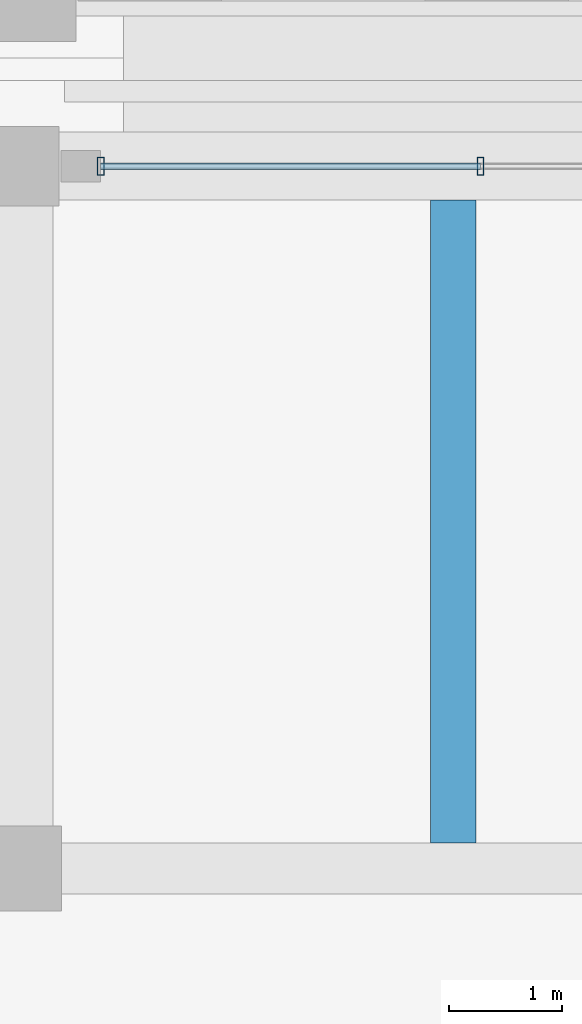
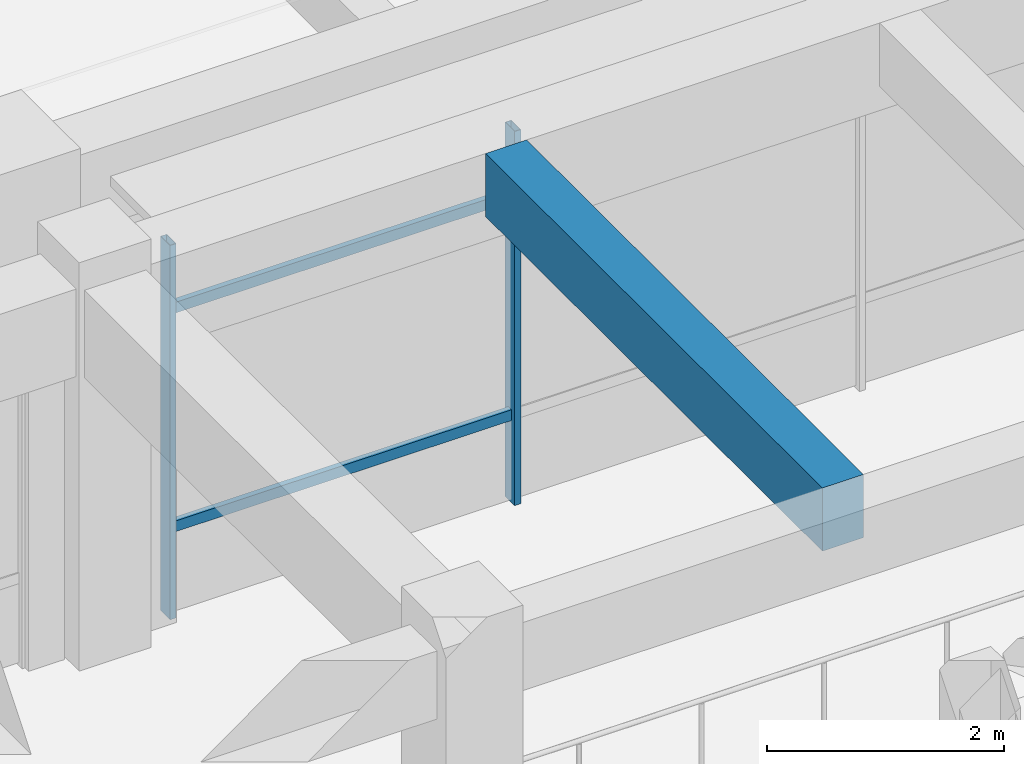
# One storey, part 32 of 109: 4 members, 1 beam, 1 element without a shape of its own.
"""IFC4 building model written with IfcOpenShell, lengths in metres."""

from ifc_helpers import new_model, si_unit, direction, frame, origin, origin_2d, place, context, subcontext, project, spatial, rectangle, hollow_rectangle, extrude, material, material_profile, profile_set, type_object, element, aggregate, save


model = new_model("IFC4")

# Units and contexts
model_context = context("Model", 3, precision=1e-05, world=origin(), true_north=direction((0.0, 1.0)))
body_context = subcontext(model_context, "Body", "Model", "MODEL_VIEW")
ifc_project = project(units=[si_unit("LENGTHUNIT", "METRE"), si_unit("AREAUNIT", "SQUARE_METRE"), si_unit("VOLUMEUNIT", "CUBIC_METRE"), si_unit("PLANEANGLEUNIT", "RADIAN"), si_unit("MASSUNIT", "GRAM", prefix="KILO")], contexts=[model_context])

# Site, building, storey
site_placement = place(None, origin())
site = spatial("IfcSite", under=ifc_project, at=site_placement, CompositionType="ELEMENT")
building_placement = place(site_placement, origin())
building = spatial("IfcBuilding", under=site, at=building_placement, Name="Ologun Quay Terminus", CompositionType="ELEMENT")
storey_placement = place(building_placement, origin())
storey = spatial("IfcBuildingStorey", under=building, at=storey_placement, Name="L00", CompositionType="ELEMENT", Elevation=0.0)

# Curtain wall, members
ifc_material_1 = material(Name="Aluminium 6063-T6", Category="aluminium")
curtain_wall_type = type_object("IfcCurtainWallType", Name="Ticket Hall Grand Portal Curtain Wall 10700x7700", PredefinedType="USERDEFINED", material=ifc_material_1)
curtain_wall_placement = place(storey_placement, origin())
curtain_wall = element("IfcCurtainWall", 1, at=curtain_wall_placement, inside=storey, type_object=curtain_wall_type, Name="CW-01 Curtain Wall CW-L00-085", ObjectType="UNITISED CURTAIN WALL", PredefinedType="USERDEFINED")
ifc_material_2 = material(Name="Aluminium 6063-T6", Category="aluminium")
ifc_material_profile_1 = material_profile(ifc_material_2, hollow_rectangle(XDim=0.06005859375, YDim=0.159912109375, WallThickness=0.00390625, at=origin_2d()), Name="ALU 160x60x4")
ifc_profile_set_1 = profile_set([ifc_material_profile_1], Name="Aluminium 6063-T6")
member_type_1 = type_object("IfcMemberType", Name="Courtyard Screen Mullion 160x65", PredefinedType="MULLION", material=ifc_profile_set_1)
member_1_placement = place(storey_placement, frame((58.219970703125, 84.199951171875, 0.0), z_axis=(0.0, 0.0, 1.0), x_axis=(1.0, 0.0, 0.0)))
member_1 = element("IfcMember", 2, at=member_1_placement, type_object=member_type_1, Name="CW-L00-085 Mullion 1", PredefinedType="MULLION", context=body_context, shape_type="SweptSolid", body=[
    extrude(hollow_rectangle(XDim=0.06005859375, YDim=0.159912109375, WallThickness=0.00390625, at=origin_2d()), origin(), (0.0, 0.0, 1.0), 3.85009765625),
])
member_2_placement = place(storey_placement, frame((61.5732421875, 84.199951171875, 0.0), z_axis=(0.0, 0.0, 1.0), x_axis=(1.0, 0.0, 0.0)))
member_2 = element("IfcMember", 3, at=member_2_placement, type_object=member_type_1, Name="CW-L00-085 Mullion 2", PredefinedType="MULLION", context=body_context, shape_type="SweptSolid", body=[
    extrude(hollow_rectangle(XDim=0.06005859375, YDim=0.159912109375, WallThickness=0.00390625, at=origin_2d()), origin(), (0.0, 0.0, 1.0), 3.85009765625),
])
ifc_material_3 = material(Name="Aluminium 6063-T6", Category="aluminium")
ifc_material_profile_2 = material_profile(ifc_material_3, hollow_rectangle(XDim=0.054931640625, YDim=0.110107421875, WallThickness=0.00390625, at=origin_2d()), Name="ALU 110x55x4")
ifc_profile_set_2 = profile_set([ifc_material_profile_2], Name="Aluminium 6063-T6")
member_type_2 = type_object("IfcMemberType", Name="Courtyard Screen Transom 110x55", PredefinedType="USERDEFINED", material=ifc_profile_set_2)
member_3_placement = place(storey_placement, frame((58.219970703125, 84.199951171875, 0.89990234375), z_axis=(1.0, 0.0, 0.0), x_axis=(0.0, 1.0, 0.0)))
member_3 = element("IfcMember", 4, at=member_3_placement, type_object=member_type_2, Name="CW-L00-085 Transom B1-1", ObjectType="TRANSOM", PredefinedType="USERDEFINED", context=body_context, shape_type="SweptSolid", body=[
    extrude(hollow_rectangle(XDim=0.054931640625, YDim=0.110107421875, WallThickness=0.00390625, at=origin_2d()), origin(), (0.0, 0.0, 1.0), 3.353271484375),
])
member_4_placement = place(storey_placement, frame((58.219970703125, 84.199951171875, 3.14990234375), z_axis=(1.0, 0.0, 0.0), x_axis=(0.0, 1.0, 0.0)))
member_4 = element("IfcMember", 5, at=member_4_placement, type_object=member_type_2, Name="CW-L00-085 Transom B1-2", ObjectType="TRANSOM", PredefinedType="USERDEFINED", context=body_context, shape_type="SweptSolid", body=[
    extrude(hollow_rectangle(XDim=0.054931640625, YDim=0.110107421875, WallThickness=0.00390625, at=origin_2d()), origin(), (0.0, 0.0, 1.0), 3.353271484375),
])
aggregate(curtain_wall, [member_1, member_2, member_3, member_4])

# Beam
ifc_material_4 = material(Name="Concrete C40/50", Category="concrete")
ifc_material_profile_3 = material_profile(ifc_material_4, rectangle(XDim=0.39990234375, YDim=0.64990234375, at=origin_2d()), Name="RC 400x650")
ifc_profile_set_3 = profile_set([ifc_material_profile_3], Name="Concrete C40/50")
beam_type = type_object("IfcBeamType", Name="Station Secondary Joist 400x650", PredefinedType="JOIST", material=ifc_profile_set_3)
beam_placement = place(storey_placement, frame((61.333251953125, 78.22509765625, 3.574951171875), z_axis=(0.0, 1.0, 0.0), x_axis=(-1.0, 0.0, 0.0)))
element("IfcBeam", 6, at=beam_placement, inside=storey, type_object=beam_type, Name="J1 Beam 6/F L00", PredefinedType="JOIST", context=body_context, shape_type="SweptSolid", body=[
    extrude(rectangle(XDim=0.39990234375, YDim=0.64990234375, at=origin_2d()), origin(), (0.0, 0.0, 1.0), 5.6748046875),
])

save(model, "model.ifc")
